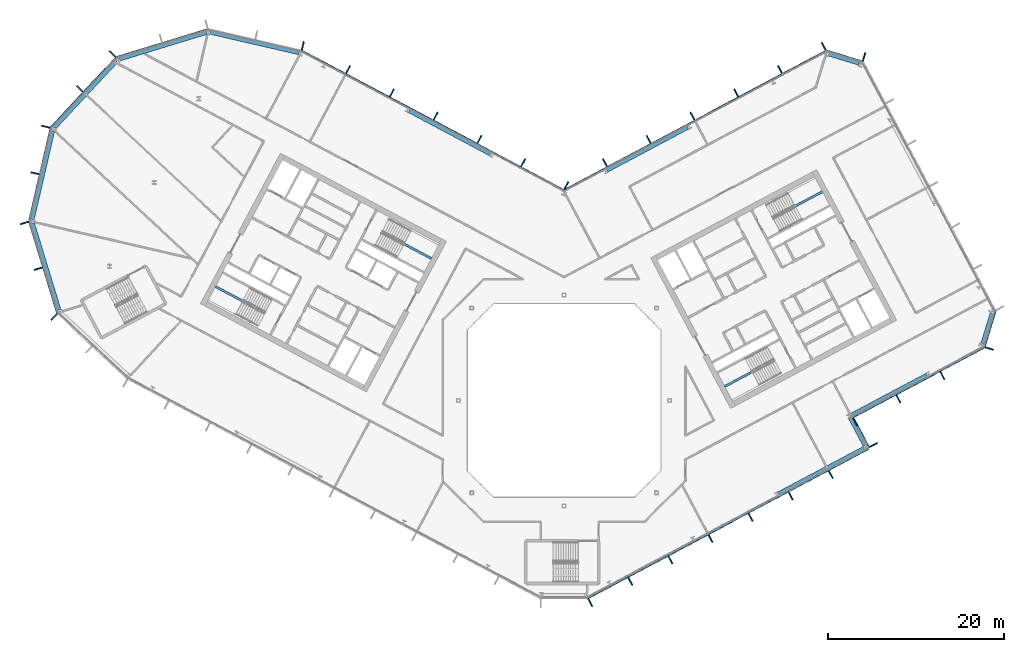
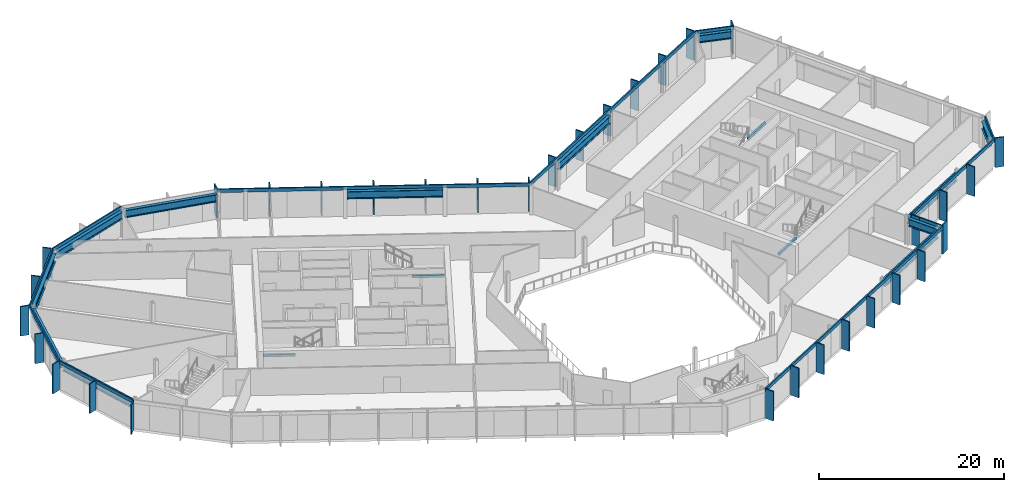
# One storey, part 9 of 26: 44 members, 16 beams, 13 elements without a shape of their own.
"""IFC4 building model written with IfcOpenShell, lengths in metres."""

from ifc_helpers import new_model, si_unit, direction, frame, origin, origin_2d, place, context, subcontext, project, spatial, rectangle, i_section, extrude, material, layer, layer_set, material_profile, profile_set, type_object, element, aggregate, save


model = new_model("IFC4")

# Units and contexts
model_context = context("Model", 3, precision=1e-05, world=origin(), true_north=direction((0.0, 1.0)))
body_context = subcontext(model_context, "Body", "Model", "MODEL_VIEW")
ifc_project = project(units=[si_unit("LENGTHUNIT", "METRE"), si_unit("AREAUNIT", "SQUARE_METRE"), si_unit("VOLUMEUNIT", "CUBIC_METRE"), si_unit("PLANEANGLEUNIT", "RADIAN"), si_unit("MASSUNIT", "GRAM", prefix="KILO")], contexts=[model_context])

# Site, building, storey
site_placement = place(None, origin())
site = spatial("IfcSite", under=ifc_project, at=site_placement, CompositionType="ELEMENT")
building_placement = place(site_placement, origin())
building = spatial("IfcBuilding", under=site, at=building_placement, Name="Cormorant Relay Tower", CompositionType="ELEMENT")
storey_placement = place(building_placement, frame((0.0, 0.0, 197.39990234375)))
storey = spatial("IfcBuildingStorey", under=building, at=storey_placement, Name="L42", CompositionType="ELEMENT", Elevation=197.39990234375)

# Curtain wall, members
ifc_material_1 = material(Name="Aluminium 6063-T6 anodised bronze", Category="aluminium")
ifc_layer = layer(ifc_material_1, 0.199951171875)
ifc_layer_set = layer_set([ifc_layer], Name="CW1 unitised bronze curtain wall with vertical fins")
curtain_wall_type = type_object("IfcCurtainWallType", Name="CW1 unitised bronze curtain wall with vertical fins", PredefinedType="NOTDEFINED", material=ifc_layer_set)
curtain_wall_1_placement = place(storey_placement, origin())
curtain_wall_1 = element("IfcCurtainWall", 1, at=curtain_wall_1_placement, inside=storey, type_object=curtain_wall_type, Name="CW1 curtain wall 2", PredefinedType="NOTDEFINED")
ifc_material_2 = material(Name="Aluminium 6063-T6 anodised bronze", Category="aluminium")
ifc_material_profile_1 = material_profile(ifc_material_2, rectangle(XDim=0.14990234375, YDim=1.0, at=origin_2d()), Name="AL 150x1000")
ifc_profile_set_1 = profile_set([ifc_material_profile_1], Name="Aluminium 6063-T6 anodised bronze")
member_type_1 = type_object("IfcMemberType", Name="CW1 bronze fin mullion 150 x 1000", PredefinedType="MULLION", material=ifc_profile_set_1)
member_1_placement = place(storey_placement, frame((2.9775390625, -22.99365234375, 0.0), z_axis=(0.0, 0.0, 1.0), x_axis=(0.882947592859, 0.469471562786, 0.0)))
member_1 = element("IfcMember", 2, at=member_1_placement, type_object=member_type_1, Name="CW1 fin 2.1", PredefinedType="MULLION", context=body_context, shape_type="SweptSolid", body=[
    extrude(rectangle(XDim=0.14990234375, YDim=1.0, at=origin_2d()), origin(), (0.0, 0.0, 1.0), 3.900146484375),
])
member_2_placement = place(storey_placement, frame((7.539306640625, -20.568115234375, 0.0), z_axis=(0.0, 0.0, 1.0), x_axis=(0.882947592859, 0.469471562786, 0.0)))
member_2 = element("IfcMember", 3, at=member_2_placement, type_object=member_type_1, Name="CW1 fin 2.2", PredefinedType="MULLION", context=body_context, shape_type="SweptSolid", body=[
    extrude(rectangle(XDim=0.14990234375, YDim=1.0, at=origin_2d()), origin(), (0.0, 0.0, 1.0), 3.900146484375),
])
member_3_placement = place(storey_placement, frame((12.10107421875, -18.142578125, 0.0), z_axis=(0.0, 0.0, 1.0), x_axis=(0.882947592859, 0.469471562786, 0.0)))
member_3 = element("IfcMember", 4, at=member_3_placement, type_object=member_type_1, Name="CW1 fin 2.3", PredefinedType="MULLION", context=body_context, shape_type="SweptSolid", body=[
    extrude(rectangle(XDim=0.14990234375, YDim=1.0, at=origin_2d()), origin(), (0.0, 0.0, 1.0), 3.900146484375),
])
member_4_placement = place(storey_placement, frame((16.662841796875, -15.717041015625, 0.0), z_axis=(0.0, 0.0, 1.0), x_axis=(0.882947592859, 0.469471562786, 0.0)))
member_4 = element("IfcMember", 5, at=member_4_placement, type_object=member_type_1, Name="CW1 fin 2.4", PredefinedType="MULLION", context=body_context, shape_type="SweptSolid", body=[
    extrude(rectangle(XDim=0.14990234375, YDim=1.0, at=origin_2d()), origin(), (0.0, 0.0, 1.0), 3.900146484375),
])
member_5_placement = place(storey_placement, frame((21.224609375, -13.29150390625, 0.0), z_axis=(0.0, 0.0, 1.0), x_axis=(0.882947592859, 0.469471562786, 0.0)))
member_5 = element("IfcMember", 6, at=member_5_placement, type_object=member_type_1, Name="CW1 fin 2.5", PredefinedType="MULLION", context=body_context, shape_type="SweptSolid", body=[
    extrude(rectangle(XDim=0.14990234375, YDim=1.0, at=origin_2d()), origin(), (0.0, 0.0, 1.0), 3.900146484375),
])
member_6_placement = place(storey_placement, frame((25.78662109375, -10.865966796875, 0.0), z_axis=(0.0, 0.0, 1.0), x_axis=(0.882947592859, 0.469471562786, 0.0)))
member_6 = element("IfcMember", 7, at=member_6_placement, type_object=member_type_1, Name="CW1 fin 2.6", PredefinedType="MULLION", context=body_context, shape_type="SweptSolid", body=[
    extrude(rectangle(XDim=0.14990234375, YDim=1.0, at=origin_2d()), origin(), (0.0, 0.0, 1.0), 3.900146484375),
])
member_7_placement = place(storey_placement, frame((30.348388671875, -8.440185546875, 0.0), z_axis=(0.0, 0.0, 1.0), x_axis=(0.882947592859, 0.469471562786, 0.0)))
member_7 = element("IfcMember", 8, at=member_7_placement, type_object=member_type_1, Name="CW1 fin 2.7", PredefinedType="MULLION", context=body_context, shape_type="SweptSolid", body=[
    extrude(rectangle(XDim=0.14990234375, YDim=1.0, at=origin_2d()), origin(), (0.0, 0.0, 1.0), 3.900146484375),
])

# Curtain wall, member
curtain_wall_2_placement = place(storey_placement, origin())
curtain_wall_2 = element("IfcCurtainWall", 9, at=curtain_wall_2_placement, inside=storey, type_object=curtain_wall_type, Name="CW1 curtain wall 3", PredefinedType="NOTDEFINED")
member_8_placement = place(storey_placement, frame((35.199462890625, -5.068115234375, 0.0), z_axis=(0.0, 0.0, 1.0), x_axis=(-0.469471562786, 0.882947592859, 0.0)))
member_8 = element("IfcMember", 10, at=member_8_placement, type_object=member_type_1, Name="CW1 fin 3.1", PredefinedType="MULLION", context=body_context, shape_type="SweptSolid", body=[
    extrude(rectangle(XDim=0.14990234375, YDim=1.0, at=origin_2d()), origin(), (0.0, 0.0, 1.0), 3.900146484375),
])

# Curtain wall, members
curtain_wall_3_placement = place(storey_placement, origin())
curtain_wall_3 = element("IfcCurtainWall", 11, at=curtain_wall_3_placement, inside=storey, type_object=curtain_wall_type, Name="CW1 curtain wall 4", PredefinedType="NOTDEFINED")
member_9_placement = place(storey_placement, frame((33.098388671875, -2.44775390625, 0.0), z_axis=(0.0, 0.0, 1.0), x_axis=(0.882947592859, 0.469471562786, 0.0)))
member_9 = element("IfcMember", 12, at=member_9_placement, type_object=member_type_1, Name="CW1 fin 4.1", PredefinedType="MULLION", context=body_context, shape_type="SweptSolid", body=[
    extrude(rectangle(XDim=0.14990234375, YDim=1.0, at=origin_2d()), origin(), (0.0, 0.0, 1.0), 3.900146484375),
])
member_10_placement = place(storey_placement, frame((38.035400390625, 0.177490234375, 0.0), z_axis=(0.0, 0.0, 1.0), x_axis=(0.882947592859, 0.469471562786, 0.0)))
member_10 = element("IfcMember", 13, at=member_10_placement, type_object=member_type_1, Name="CW1 fin 4.2", PredefinedType="MULLION", context=body_context, shape_type="SweptSolid", body=[
    extrude(rectangle(XDim=0.14990234375, YDim=1.0, at=origin_2d()), origin(), (0.0, 0.0, 1.0), 3.900146484375),
])
member_11_placement = place(storey_placement, frame((43.038818359375, 2.837646484375, 0.0), z_axis=(0.0, 0.0, 1.0), x_axis=(0.882947592859, 0.469471562786, 0.0)))
member_11 = element("IfcMember", 14, at=member_11_placement, type_object=member_type_1, Name="CW1 fin 4.3", PredefinedType="MULLION", context=body_context, shape_type="SweptSolid", body=[
    extrude(rectangle(XDim=0.14990234375, YDim=1.0, at=origin_2d()), origin(), (0.0, 0.0, 1.0), 3.900146484375),
])

# Curtain wall, member
curtain_wall_4_placement = place(storey_placement, origin())
curtain_wall_4 = element("IfcCurtainWall", 15, at=curtain_wall_4_placement, inside=storey, type_object=curtain_wall_type, Name="CW1 curtain wall 5", PredefinedType="NOTDEFINED")
member_12_placement = place(storey_placement, frame((48.383056640625, 5.91162109375, 0.0), z_axis=(0.0, 0.0, 1.0), x_axis=(0.292371704723, 0.956304755963, 0.0)))
member_12 = element("IfcMember", 16, at=member_12_placement, type_object=member_type_1, Name="CW1 fin 5.1", PredefinedType="MULLION", context=body_context, shape_type="SweptSolid", body=[
    extrude(rectangle(XDim=0.14990234375, YDim=1.0, at=origin_2d()), origin(), (0.0, 0.0, 1.0), 3.900146484375),
])

curtain_wall_5_placement = place(storey_placement, origin())
curtain_wall_5 = element("IfcCurtainWall", 17, at=curtain_wall_5_placement, inside=storey, type_object=curtain_wall_type, Name="CW1 curtain wall 7", PredefinedType="NOTDEFINED")
member_13_placement = place(storey_placement, frame((34.1357421875, 39.09716796875, 0.0), z_axis=(0.0, 0.0, 1.0), x_axis=(-0.956304755963, 0.292371704723, 0.0)))
member_13 = element("IfcMember", 18, at=member_13_placement, type_object=member_type_1, Name="CW1 fin 7.1", PredefinedType="MULLION", context=body_context, shape_type="SweptSolid", body=[
    extrude(rectangle(XDim=0.14990234375, YDim=1.0, at=origin_2d()), origin(), (0.0, 0.0, 1.0), 3.900146484375),
])

# Curtain wall, members
curtain_wall_6_placement = place(storey_placement, origin())
curtain_wall_6 = element("IfcCurtainWall", 19, at=curtain_wall_6_placement, inside=storey, type_object=curtain_wall_type, Name="CW1 curtain wall 8", PredefinedType="NOTDEFINED")
member_14_placement = place(storey_placement, frame((29.545166015625, 40.2861328125, 0.0), z_axis=(0.0, 0.0, 1.0), x_axis=(-0.882947592859, -0.469471562786, 0.0)))
member_14 = element("IfcMember", 20, at=member_14_placement, type_object=member_type_1, Name="CW1 fin 8.1", PredefinedType="MULLION", context=body_context, shape_type="SweptSolid", body=[
    extrude(rectangle(XDim=0.14990234375, YDim=1.0, at=origin_2d()), origin(), (0.0, 0.0, 1.0), 3.900146484375),
])
member_15_placement = place(storey_placement, frame((24.566162109375, 37.638916015625, 0.0), z_axis=(0.0, 0.0, 1.0), x_axis=(-0.882947592859, -0.469471562786, 0.0)))
member_15 = element("IfcMember", 21, at=member_15_placement, type_object=member_type_1, Name="CW1 fin 8.2", PredefinedType="MULLION", context=body_context, shape_type="SweptSolid", body=[
    extrude(rectangle(XDim=0.14990234375, YDim=1.0, at=origin_2d()), origin(), (0.0, 0.0, 1.0), 3.900146484375),
])
member_16_placement = place(storey_placement, frame((19.587158203125, 34.991455078125, 0.0), z_axis=(0.0, 0.0, 1.0), x_axis=(-0.882947592859, -0.469471562786, 0.0)))
member_16 = element("IfcMember", 22, at=member_16_placement, type_object=member_type_1, Name="CW1 fin 8.3", PredefinedType="MULLION", context=body_context, shape_type="SweptSolid", body=[
    extrude(rectangle(XDim=0.14990234375, YDim=1.0, at=origin_2d()), origin(), (0.0, 0.0, 1.0), 3.900146484375),
])
member_17_placement = place(storey_placement, frame((14.608154296875, 32.343994140625, 0.0), z_axis=(0.0, 0.0, 1.0), x_axis=(-0.882947592859, -0.469471562786, 0.0)))
member_17 = element("IfcMember", 23, at=member_17_placement, type_object=member_type_1, Name="CW1 fin 8.4", PredefinedType="MULLION", context=body_context, shape_type="SweptSolid", body=[
    extrude(rectangle(XDim=0.14990234375, YDim=1.0, at=origin_2d()), origin(), (0.0, 0.0, 1.0), 3.900146484375),
])
member_18_placement = place(storey_placement, frame((9.62939453125, 29.69677734375, 0.0), z_axis=(0.0, 0.0, 1.0), x_axis=(-0.882947592859, -0.469471562786, 0.0)))
member_18 = element("IfcMember", 24, at=member_18_placement, type_object=member_type_1, Name="CW1 fin 8.5", PredefinedType="MULLION", context=body_context, shape_type="SweptSolid", body=[
    extrude(rectangle(XDim=0.14990234375, YDim=1.0, at=origin_2d()), origin(), (0.0, 0.0, 1.0), 3.900146484375),
])
member_19_placement = place(storey_placement, frame((4.650390625, 27.04931640625, 0.0), z_axis=(0.0, 0.0, 1.0), x_axis=(-0.882947592859, -0.469471562786, 0.0)))
member_19 = element("IfcMember", 25, at=member_19_placement, type_object=member_type_1, Name="CW1 fin 8.6", PredefinedType="MULLION", context=body_context, shape_type="SweptSolid", body=[
    extrude(rectangle(XDim=0.14990234375, YDim=1.0, at=origin_2d()), origin(), (0.0, 0.0, 1.0), 3.900146484375),
])

curtain_wall_7_placement = place(storey_placement, origin())
curtain_wall_7 = element("IfcCurtainWall", 26, at=curtain_wall_7_placement, inside=storey, type_object=curtain_wall_type, Name="CW1 curtain wall 9", PredefinedType="NOTDEFINED")
member_20_placement = place(storey_placement, frame((0.262451171875, 24.437255859375, 0.0), z_axis=(0.0, 0.0, 1.0), x_axis=(-0.882947592859, 0.469471562786, 0.0)))
member_20 = element("IfcMember", 27, at=member_20_placement, type_object=member_type_1, Name="CW1 fin 9.1", PredefinedType="MULLION", context=body_context, shape_type="SweptSolid", body=[
    extrude(rectangle(XDim=0.14990234375, YDim=1.0, at=origin_2d()), origin(), (0.0, 0.0, 1.0), 3.900146484375),
])
member_21_placement = place(storey_placement, frame((-4.650390625, 27.04931640625, 0.0), z_axis=(0.0, 0.0, 1.0), x_axis=(-0.882947592859, 0.469471562786, 0.0)))
member_21 = element("IfcMember", 28, at=member_21_placement, type_object=member_type_1, Name="CW1 fin 9.2", PredefinedType="MULLION", context=body_context, shape_type="SweptSolid", body=[
    extrude(rectangle(XDim=0.14990234375, YDim=1.0, at=origin_2d()), origin(), (0.0, 0.0, 1.0), 3.900146484375),
])
member_22_placement = place(storey_placement, frame((-9.62939453125, 29.69677734375, 0.0), z_axis=(0.0, 0.0, 1.0), x_axis=(-0.882947592859, 0.469471562786, 0.0)))
member_22 = element("IfcMember", 29, at=member_22_placement, type_object=member_type_1, Name="CW1 fin 9.3", PredefinedType="MULLION", context=body_context, shape_type="SweptSolid", body=[
    extrude(rectangle(XDim=0.14990234375, YDim=1.0, at=origin_2d()), origin(), (0.0, 0.0, 1.0), 3.900146484375),
])
member_23_placement = place(storey_placement, frame((-14.608154296875, 32.343994140625, 0.0), z_axis=(0.0, 0.0, 1.0), x_axis=(-0.882947592859, 0.469471562786, 0.0)))
member_23 = element("IfcMember", 30, at=member_23_placement, type_object=member_type_1, Name="CW1 fin 9.4", PredefinedType="MULLION", context=body_context, shape_type="SweptSolid", body=[
    extrude(rectangle(XDim=0.14990234375, YDim=1.0, at=origin_2d()), origin(), (0.0, 0.0, 1.0), 3.900146484375),
])
member_24_placement = place(storey_placement, frame((-19.587158203125, 34.991455078125, 0.0), z_axis=(0.0, 0.0, 1.0), x_axis=(-0.882947592859, 0.469471562786, 0.0)))
member_24 = element("IfcMember", 31, at=member_24_placement, type_object=member_type_1, Name="CW1 fin 9.5", PredefinedType="MULLION", context=body_context, shape_type="SweptSolid", body=[
    extrude(rectangle(XDim=0.14990234375, YDim=1.0, at=origin_2d()), origin(), (0.0, 0.0, 1.0), 3.900146484375),
])
member_25_placement = place(storey_placement, frame((-24.566162109375, 37.638916015625, 0.0), z_axis=(0.0, 0.0, 1.0), x_axis=(-0.882947592859, 0.469471562786, 0.0)))
member_25 = element("IfcMember", 32, at=member_25_placement, type_object=member_type_1, Name="CW1 fin 9.6", PredefinedType="MULLION", context=body_context, shape_type="SweptSolid", body=[
    extrude(rectangle(XDim=0.14990234375, YDim=1.0, at=origin_2d()), origin(), (0.0, 0.0, 1.0), 3.900146484375),
])

# Curtain wall, member
curtain_wall_8_placement = place(storey_placement, origin())
curtain_wall_8 = element("IfcCurtainWall", 33, at=curtain_wall_8_placement, inside=storey, type_object=curtain_wall_type, Name="CW1 curtain wall 10", PredefinedType="NOTDEFINED")
member_26_placement = place(storey_placement, frame((-29.71630859375, 40.35009765625, 0.0), z_axis=(0.0, 0.0, 1.0), x_axis=(-0.974370064785, 0.224951054344, 0.0)))
member_26 = element("IfcMember", 34, at=member_26_placement, type_object=member_type_1, Name="CW1 fin 10.1", PredefinedType="MULLION", context=body_context, shape_type="SweptSolid", body=[
    extrude(rectangle(XDim=0.14990234375, YDim=1.0, at=origin_2d()), origin(), (0.0, 0.0, 1.0), 3.900146484375),
])
aggregate(curtain_wall_8, [member_26])

# Curtain wall, members
curtain_wall_9_placement = place(storey_placement, origin())
curtain_wall_9 = element("IfcCurtainWall", 35, at=curtain_wall_9_placement, inside=storey, type_object=curtain_wall_type, Name="CW1 curtain wall 12", PredefinedType="NOTDEFINED")
member_27_placement = place(storey_placement, frame((-51.372802734375, 39.41259765625, 0.0), z_axis=(0.0, 0.0, 1.0), x_axis=(-0.681998360062, -0.731353701619, 0.0)))
member_27 = element("IfcMember", 36, at=member_27_placement, type_object=member_type_1, Name="CW1 fin 12.1", PredefinedType="MULLION", context=body_context, shape_type="SweptSolid", body=[
    extrude(rectangle(XDim=0.14990234375, YDim=1.0, at=origin_2d()), origin(), (0.0, 0.0, 1.0), 3.900146484375),
])
member_28_placement = place(storey_placement, frame((-55.07958984375, 35.4375, 0.0), z_axis=(0.0, 0.0, 1.0), x_axis=(-0.681998360062, -0.731353701619, 0.0)))
member_28 = element("IfcMember", 37, at=member_28_placement, type_object=member_type_1, Name="CW1 fin 12.2", PredefinedType="MULLION", context=body_context, shape_type="SweptSolid", body=[
    extrude(rectangle(XDim=0.14990234375, YDim=1.0, at=origin_2d()), origin(), (0.0, 0.0, 1.0), 3.900146484375),
])

curtain_wall_10_placement = place(storey_placement, origin())
curtain_wall_10 = element("IfcCurtainWall", 38, at=curtain_wall_10_placement, inside=storey, type_object=curtain_wall_type, Name="CW1 curtain wall 13", PredefinedType="NOTDEFINED")
member_29_placement = place(storey_placement, frame((-58.95654296875, 31.142578125, 0.0), z_axis=(0.0, 0.0, 1.0), x_axis=(-0.224951054344, -0.974370064785, 0.0)))
member_29 = element("IfcMember", 39, at=member_29_placement, type_object=member_type_1, Name="CW1 fin 13.1", PredefinedType="MULLION", context=body_context, shape_type="SweptSolid", body=[
    extrude(rectangle(XDim=0.14990234375, YDim=1.0, at=origin_2d()), origin(), (0.0, 0.0, 1.0), 3.900146484375),
])
member_30_placement = place(storey_placement, frame((-60.17919921875, 25.8466796875, 0.0), z_axis=(0.0, 0.0, 1.0), x_axis=(-0.224951054344, -0.974370064785, 0.0)))
member_30 = element("IfcMember", 40, at=member_30_placement, type_object=member_type_1, Name="CW1 fin 13.2", PredefinedType="MULLION", context=body_context, shape_type="SweptSolid", body=[
    extrude(rectangle(XDim=0.14990234375, YDim=1.0, at=origin_2d()), origin(), (0.0, 0.0, 1.0), 3.900146484375),
])

curtain_wall_11_placement = place(storey_placement, origin())
curtain_wall_11 = element("IfcCurtainWall", 41, at=curtain_wall_11_placement, inside=storey, type_object=curtain_wall_type, Name="CW1 curtain wall 14", PredefinedType="NOTDEFINED")
member_31_placement = place(storey_placement, frame((-61.389404296875, 20.188720703125, 0.0), z_axis=(0.0, 0.0, 1.0), x_axis=(0.292371704723, -0.956304755963, 0.0)))
member_31 = element("IfcMember", 42, at=member_31_placement, type_object=member_type_1, Name="CW1 fin 14.1", PredefinedType="MULLION", context=body_context, shape_type="SweptSolid", body=[
    extrude(rectangle(XDim=0.14990234375, YDim=1.0, at=origin_2d()), origin(), (0.0, 0.0, 1.0), 3.900146484375),
])
member_32_placement = place(storey_placement, frame((-59.80029296875, 14.990966796875, 0.0), z_axis=(0.0, 0.0, 1.0), x_axis=(0.292371704723, -0.956304755963, 0.0)))
member_32 = element("IfcMember", 43, at=member_32_placement, type_object=member_type_1, Name="CW1 fin 14.2", PredefinedType="MULLION", context=body_context, shape_type="SweptSolid", body=[
    extrude(rectangle(XDim=0.14990234375, YDim=1.0, at=origin_2d()), origin(), (0.0, 0.0, 1.0), 3.900146484375),
])

# Curtain wall, member
curtain_wall_12_placement = place(storey_placement, origin())
curtain_wall_12 = element("IfcCurtainWall", 44, at=curtain_wall_12_placement, inside=storey, type_object=curtain_wall_type, Name="CW1 curtain wall 15", PredefinedType="NOTDEFINED")
member_33_placement = place(storey_placement, frame((-58.01904296875, 9.486083984375, 0.0), z_axis=(0.0, 0.0, 1.0), x_axis=(0.731353701619, -0.681998360062, 0.0)))
member_33 = element("IfcMember", 45, at=member_33_placement, type_object=member_type_1, Name="CW1 fin 15.1", PredefinedType="MULLION", context=body_context, shape_type="SweptSolid", body=[
    extrude(rectangle(XDim=0.14990234375, YDim=1.0, at=origin_2d()), origin(), (0.0, 0.0, 1.0), 3.900146484375),
])
aggregate(curtain_wall_12, [member_33])

# Member
ifc_material_3 = material(Name="Aluminium 6063-T6 anodised bronze", Category="aluminium")
ifc_material_profile_2 = material_profile(ifc_material_3, rectangle(XDim=0.159912109375, YDim=0.449951171875, at=origin_2d()), Name="AL 160x450")
ifc_profile_set_2 = profile_set([ifc_material_profile_2], Name="Aluminium 6063-T6 anodised bronze")
member_type_2 = type_object("IfcMemberType", Name="CW1 bronze transom 160 x 450", PredefinedType="USERDEFINED", material=ifc_profile_set_2)
member_34_placement = place(storey_placement, frame((2.705078125, -22.4814453125, 3.675048828125), z_axis=(0.882948899141, 0.469469106018, 0.0), x_axis=(-0.469469106018, 0.882948899141, 0.0)))
member_34 = element("IfcMember", 46, at=member_34_placement, type_object=member_type_2, Name="CW1 transom 2", ObjectType="TRANSOM", PredefinedType="USERDEFINED", context=body_context, shape_type="SweptSolid", body=[
    extrude(rectangle(XDim=0.159912109375, YDim=0.449951171875, at=origin_2d()), origin(), (0.0, 0.0, 1.0), 36.165771484375),
])

aggregate(curtain_wall_1, [member_1, member_2, member_3, member_4, member_5, member_6, member_7, member_34])

member_35_placement = place(storey_placement, frame((34.6875, -5.34033203125, 3.675048828125), z_axis=(-0.469485426614, 0.882940221191, 0.0), x_axis=(-0.882940221191, -0.469485426614, 0.0)))
member_35 = element("IfcMember", 47, at=member_35_placement, type_object=member_type_2, Name="CW1 transom 3", ObjectType="TRANSOM", PredefinedType="USERDEFINED", context=body_context, shape_type="SweptSolid", body=[
    extrude(rectangle(XDim=0.159912109375, YDim=0.449951171875, at=origin_2d()), origin(), (0.0, 0.0, 1.0), 4.0),
])

aggregate(curtain_wall_2, [member_8, member_35])

member_36_placement = place(storey_placement, frame((32.760009765625, -1.970947265625, 3.675048828125), z_axis=(0.882941803911, 0.469482450052, 0.0), x_axis=(-0.469482450052, 0.882941803911, 0.0)))
member_36 = element("IfcMember", 48, at=member_36_placement, type_object=member_type_2, Name="CW1 transom 4", ObjectType="TRANSOM", PredefinedType="USERDEFINED", context=body_context, shape_type="SweptSolid", body=[
    extrude(rectangle(XDim=0.159912109375, YDim=0.449951171875, at=origin_2d()), origin(), (0.0, 0.0, 1.0), 17.0),
])

aggregate(curtain_wall_3, [member_9, member_10, member_11, member_36])

member_37_placement = place(storey_placement, frame((47.828369140625, 6.0810546875, 3.675048828125), z_axis=(0.292391046905, 0.95629884225, 0.0), x_axis=(-0.95629884225, 0.292391046905, 0.0)))
member_37 = element("IfcMember", 49, at=member_37_placement, type_object=member_type_2, Name="CW1 transom 5", ObjectType="TRANSOM", PredefinedType="USERDEFINED", context=body_context, shape_type="SweptSolid", body=[
    extrude(rectangle(XDim=0.159912109375, YDim=0.449951171875, at=origin_2d()), origin(), (0.0, 0.0, 1.0), 4.242431640625),
])

aggregate(curtain_wall_4, [member_12, member_37])

member_38_placement = place(storey_placement, frame((33.966064453125, 38.54248046875, 3.675048828125), z_axis=(-0.956303761594, 0.292374957137, 0.0), x_axis=(-0.292374957137, -0.956303761594, 0.0)))
member_38 = element("IfcMember", 50, at=member_38_placement, type_object=member_type_2, Name="CW1 transom 7", ObjectType="TRANSOM", PredefinedType="USERDEFINED", context=body_context, shape_type="SweptSolid", body=[
    extrude(rectangle(XDim=0.159912109375, YDim=0.449951171875, at=origin_2d()), origin(), (0.0, 0.0, 1.0), 4.24267578125),
])

aggregate(curtain_wall_5, [member_13, member_38])

member_39_placement = place(storey_placement, frame((29.8173828125, 39.774169921875, 3.675048828125), z_axis=(-0.882946280328, -0.46947403129, 0.0), x_axis=(0.46947403129, -0.882946280328, 0.0)))
member_39 = element("IfcMember", 51, at=member_39_placement, type_object=member_type_2, Name="CW1 transom 8", ObjectType="TRANSOM", PredefinedType="USERDEFINED", context=body_context, shape_type="SweptSolid", body=[
    extrude(rectangle(XDim=0.159912109375, YDim=0.449951171875, at=origin_2d()), origin(), (0.0, 0.0, 1.0), 33.834228515625),
])

aggregate(curtain_wall_6, [member_14, member_15, member_16, member_17, member_18, member_19, member_39])

member_40_placement = place(storey_placement, frame((0.056396484375, 23.889892578125, 3.675048828125), z_axis=(-0.882946280328, 0.46947403129, 0.0), x_axis=(-0.46947403129, -0.882946280328, 0.0)))
member_40 = element("IfcMember", 52, at=member_40_placement, type_object=member_type_2, Name="CW1 transom 9", ObjectType="TRANSOM", PredefinedType="USERDEFINED", context=body_context, shape_type="SweptSolid", body=[
    extrude(rectangle(XDim=0.159912109375, YDim=0.449951171875, at=origin_2d()), origin(), (0.0, 0.0, 1.0), 33.834228515625),
])

aggregate(curtain_wall_7, [member_20, member_21, member_22, member_23, member_24, member_25, member_40])

# Curtain wall, member
curtain_wall_13_placement = place(storey_placement, origin())
curtain_wall_13 = element("IfcCurtainWall", 53, at=curtain_wall_13_placement, inside=storey, type_object=curtain_wall_type, Name="CW1 curtain wall 11", PredefinedType="NOTDEFINED")
member_41_placement = place(storey_placement, frame((-40.50048828125, 42.228271484375, 3.675048828125), z_axis=(-0.956304833932, -0.292371449698, 0.0), x_axis=(0.292371449698, -0.956304833932, 0.0)))
member_41 = element("IfcMember", 54, at=member_41_placement, type_object=member_type_2, Name="CW1 transom 11", ObjectType="TRANSOM", PredefinedType="USERDEFINED", context=body_context, shape_type="SweptSolid", body=[
    extrude(rectangle(XDim=0.159912109375, YDim=0.449951171875, at=origin_2d()), origin(), (0.0, 0.0, 1.0), 10.87060546875),
])
aggregate(curtain_wall_13, [member_41])

# Member
member_42_placement = place(storey_placement, frame((-50.94873046875, 39.01708984375, 3.675048828125), z_axis=(-0.681993299437, -0.731358420696, 0.0), x_axis=(0.731358420696, -0.681993299437, 0.0)))
member_42 = element("IfcMember", 55, at=member_42_placement, type_object=member_type_2, Name="CW1 transom 12", ObjectType="TRANSOM", PredefinedType="USERDEFINED", context=body_context, shape_type="SweptSolid", body=[
    extrude(rectangle(XDim=0.159912109375, YDim=0.449951171875, at=origin_2d()), origin(), (0.0, 0.0, 1.0), 10.870361328125),
])

aggregate(curtain_wall_9, [member_27, member_28, member_42])

member_43_placement = place(storey_placement, frame((-58.3916015625, 31.01220703125, 3.675048828125), z_axis=(-0.22495136131, -0.974369993916, 0.0), x_axis=(0.974369993916, -0.22495136131, 0.0)))
member_43 = element("IfcMember", 56, at=member_43_placement, type_object=member_type_2, Name="CW1 transom 13", ObjectType="TRANSOM", PredefinedType="USERDEFINED", context=body_context, shape_type="SweptSolid", body=[
    extrude(rectangle(XDim=0.159912109375, YDim=0.449951171875, at=origin_2d()), origin(), (0.0, 0.0, 1.0), 10.870361328125),
])

aggregate(curtain_wall_10, [member_29, member_30, member_43])

member_44_placement = place(storey_placement, frame((-60.834716796875, 20.358154296875, 3.675048828125), z_axis=(0.292377729282, -0.95630291405, 0.0), x_axis=(0.95630291405, 0.292377729282, 0.0)))
member_44 = element("IfcMember", 57, at=member_44_placement, type_object=member_type_2, Name="CW1 transom 14", ObjectType="TRANSOM", PredefinedType="USERDEFINED", context=body_context, shape_type="SweptSolid", body=[
    extrude(rectangle(XDim=0.159912109375, YDim=0.449951171875, at=origin_2d()), origin(), (0.0, 0.0, 1.0), 10.870361328125),
])

aggregate(curtain_wall_11, [member_31, member_32, member_44])

# Beams
ifc_material_4 = material(Name="Steel ASTM A992 (Fy 345 MPa)", Category="steel")
ifc_material_profile_3 = material_profile(ifc_material_4, i_section(OverallWidth=0.4013671875, OverallDepth=0.990478515625, WebThickness=0.0166015625, FlangeThickness=0.031005859375, FilletRadius=0.030029296875, at=origin_2d()), Name="W1000x320")
ifc_profile_set_3 = profile_set([ifc_material_profile_3], Name="Steel ASTM A992 (Fy 345 MPa)")
beam_type_1 = type_object("IfcBeamType", Name="Spandrel W1000x320", PredefinedType="SPANDREL", material=ifc_profile_set_3)
beam_1_placement = place(storey_placement, frame((24.423583984375, -10.5703125, 3.044677734375), z_axis=(0.882952735253, 0.469461891221, 0.0), x_axis=(-0.469461891221, 0.882952735253, 0.0)))
element("IfcBeam", 58, at=beam_1_placement, inside=storey, type_object=beam_type_1, Name="Spandrel beam L42-002", PredefinedType="SPANDREL", context=body_context, shape_type="SweptSolid", body=[
    extrude(i_section(OverallWidth=0.4013671875, OverallDepth=0.990478515625, WebThickness=0.0166015625, FlangeThickness=0.031005859375, FilletRadius=0.030029296875, at=origin_2d()), origin(), (0.0, 0.0, 1.0), 10.96142578125),
])
beam_2_placement = place(storey_placement, frame((34.20458984375, -5.115478515625, 3.044677734375), z_axis=(-0.469423552529, 0.882973118691, 0.0), x_axis=(-0.882973118691, -0.469423552529, 0.0)))
element("IfcBeam", 59, at=beam_2_placement, inside=storey, type_object=beam_type_1, Name="Spandrel beam L42-003", PredefinedType="SPANDREL", context=body_context, shape_type="SweptSolid", body=[
    extrude(i_section(OverallWidth=0.4013671875, OverallDepth=0.990478515625, WebThickness=0.0166015625, FlangeThickness=0.031005859375, FilletRadius=0.030029296875, at=origin_2d()), origin(), (0.0, 0.0, 1.0), 3.56982421875),
])
beam_3_placement = place(storey_placement, frame((32.609375, -1.687744140625, 3.044677734375), z_axis=(0.882948215634, 0.469470391515, 0.0), x_axis=(-0.469470391515, 0.882948215634, 0.0)))
element("IfcBeam", 60, at=beam_3_placement, inside=storey, type_object=beam_type_1, Name="Spandrel beam L42-004", PredefinedType="SPANDREL", context=body_context, shape_type="SweptSolid", body=[
    extrude(i_section(OverallWidth=0.4013671875, OverallDepth=0.990478515625, WebThickness=0.0166015625, FlangeThickness=0.031005859375, FilletRadius=0.030029296875, at=origin_2d()), origin(), (0.0, 0.0, 1.0), 9.79736328125),
])
for number, where, z_axis, x_axis, name in (
    (61, (47.618896484375, 6.4921875, 3.044677734375), (0.292349563537, 0.956311524923, 0.0), (-0.956311524923, 0.292349563537, 0.0), "Spandrel beam L42-005"),
    (62, (33.5546875, 38.3330078125, 3.044677734375), (-0.956311524923, 0.292349563537, 0.0), (-0.292349563537, -0.956311524923, 0.0), "Spandrel beam L42-007"),
):
    element("IfcBeam", number, at=place(storey_placement, frame(where, z_axis=z_axis, x_axis=x_axis)), inside=storey, type_object=beam_type_1, Name=name, PredefinedType="SPANDREL", context=body_context, shape_type="SweptSolid", body=[
        extrude(i_section(OverallWidth=0.4013671875, OverallDepth=0.990478515625, WebThickness=0.0166015625, FlangeThickness=0.031005859375, FilletRadius=0.030029296875, at=origin_2d()), origin(), (0.0, 0.0, 1.0), 3.59765625),
    ])
for number, where, z_axis, x_axis, name in (
    (63, (14.0732421875, 31.03955078125, 3.044677734375), (-0.882949648898, -0.469467695918, 0.0), (0.469467695918, -0.882949648898, 0.0), "Spandrel beam L42-008"),
    (64, (-8.426025390625, 28.036865234375, 3.044677734375), (-0.882949648898, 0.469467695918, 0.0), (-0.469467695918, -0.882949648898, 0.0), "Spandrel beam L42-009"),
):
    element("IfcBeam", number, at=place(storey_placement, frame(where, z_axis=z_axis, x_axis=x_axis)), inside=storey, type_object=beam_type_1, Name=name, PredefinedType="SPANDREL", context=body_context, shape_type="SweptSolid", body=[
        extrude(i_section(OverallWidth=0.4013671875, OverallDepth=0.990478515625, WebThickness=0.0166015625, FlangeThickness=0.031005859375, FilletRadius=0.030029296875, at=origin_2d()), origin(), (0.0, 0.0, 1.0), 10.39599609375),
    ])
beam_4_placement = place(storey_placement, frame((-30.1533203125, 39.526611328125, 3.044677734375), z_axis=(-0.97436619016, 0.22496783653, 0.0), x_axis=(-0.22496783653, -0.97436619016, 0.0)))
element("IfcBeam", 65, at=beam_4_placement, inside=storey, type_object=beam_type_1, Name="Spandrel beam L42-010", PredefinedType="SPANDREL", context=body_context, shape_type="SweptSolid", body=[
    extrude(i_section(OverallWidth=0.4013671875, OverallDepth=0.990478515625, WebThickness=0.0166015625, FlangeThickness=0.031005859375, FilletRadius=0.030029296875, at=origin_2d()), origin(), (0.0, 0.0, 1.0), 10.369384765625),
])
beam_5_placement = place(storey_placement, frame((-40.680419921875, 41.837890625, 3.044677734375), z_axis=(-0.956303094801, -0.292377138084, 0.0), x_axis=(0.292377138084, -0.956303094801, 0.0)))
element("IfcBeam", 66, at=beam_5_placement, inside=storey, type_object=beam_type_1, Name="Spandrel beam L42-011", PredefinedType="SPANDREL", context=body_context, shape_type="SweptSolid", body=[
    extrude(i_section(OverallWidth=0.4013671875, OverallDepth=0.990478515625, WebThickness=0.0166015625, FlangeThickness=0.031005859375, FilletRadius=0.030029296875, at=origin_2d()), origin(), (0.0, 0.0, 1.0), 10.32421875),
])
beam_6_placement = place(storey_placement, frame((-50.90966796875, 38.5888671875, 3.044677734375), z_axis=(-0.681996285296, -0.731355636365, 0.0), x_axis=(0.731355636365, -0.681996285296, 0.0)))
element("IfcBeam", 67, at=beam_6_placement, inside=storey, type_object=beam_type_1, Name="Spandrel beam L42-012", PredefinedType="SPANDREL", context=body_context, shape_type="SweptSolid", body=[
    extrude(i_section(OverallWidth=0.4013671875, OverallDepth=0.990478515625, WebThickness=0.0166015625, FlangeThickness=0.031005859375, FilletRadius=0.030029296875, at=origin_2d()), origin(), (0.0, 0.0, 1.0), 10.32275390625),
])
beam_7_placement = place(storey_placement, frame((-58.143310546875, 30.66162109375, 3.044677734375), z_axis=(-0.224957947919, -0.974368473252, 0.0), x_axis=(0.974368473252, -0.224957947919, 0.0)))
element("IfcBeam", 68, at=beam_7_placement, inside=storey, type_object=beam_type_1, Name="Spandrel beam L42-013", PredefinedType="SPANDREL", context=body_context, shape_type="SweptSolid", body=[
    extrude(i_section(OverallWidth=0.4013671875, OverallDepth=0.990478515625, WebThickness=0.0166015625, FlangeThickness=0.031005859375, FilletRadius=0.030029296875, at=origin_2d()), origin(), (0.0, 0.0, 1.0), 10.32421875),
])
beam_8_placement = place(storey_placement, frame((-60.4443359375, 20.178466796875, 3.044677734375), z_axis=(0.29236873538, -0.956305663777, 0.0), x_axis=(0.956305663777, 0.29236873538, 0.0)))
element("IfcBeam", 69, at=beam_8_placement, inside=storey, type_object=beam_type_1, Name="Spandrel beam L42-014", PredefinedType="SPANDREL", context=body_context, shape_type="SweptSolid", body=[
    extrude(i_section(OverallWidth=0.4013671875, OverallDepth=0.990478515625, WebThickness=0.0166015625, FlangeThickness=0.031005859375, FilletRadius=0.030029296875, at=origin_2d()), origin(), (0.0, 0.0, 1.0), 10.32373046875),
])
ifc_material_5 = material(Name="Concrete 50 MPa", Category="concrete")
ifc_material_profile_4 = material_profile(ifc_material_5, rectangle(XDim=0.25, YDim=0.300048828125, at=origin_2d()), Name="RC 250x300")
ifc_profile_set_4 = profile_set([ifc_material_profile_4], Name="Concrete 50 MPa")
beam_type_2 = type_object("IfcBeamType", Name="Stair landing ledge beam 250x300", PredefinedType="BEAM", material=ifc_profile_set_4)
beam_9_placement = place(storey_placement, frame((-18.219482421875, 17.813720703125, 1.60009765625), z_axis=(0.882950035608, -0.469466968614, 0.0), x_axis=(0.469466968614, 0.882950035608, 0.0)))
element("IfcBeam", 70, at=beam_9_placement, inside=storey, type_object=beam_type_2, Name="A1 landing ledge beam", PredefinedType="BEAM", context=body_context, shape_type="SweptSolid", body=[
    extrude(rectangle(XDim=0.25, YDim=0.300048828125, at=origin_2d()), origin(), (0.0, 0.0, 1.0), 3.5498046875),
])
for number, where, z_axis, x_axis, name in (
    (71, (-36.523193359375, 11.29345703125, 1.60009765625), (-0.88293668587, 0.469492075273, 0.0), (-0.469492075273, -0.88293668587, 0.0), "A2 landing ledge beam"),
    (72, (21.4248046875, 3.265380859375, 1.60009765625), (-0.88296519247, -0.469438461235, 0.0), (0.469438461235, -0.88296519247, 0.0), "B1 landing ledge beam"),
    (73, (26.25439453125, 22.0859375, 1.60009765625), (0.88296519247, 0.469438461235, 0.0), (-0.469438461235, 0.88296519247, 0.0), "B2 landing ledge beam"),
):
    element("IfcBeam", number, at=place(storey_placement, frame(where, z_axis=z_axis, x_axis=x_axis)), inside=storey, type_object=beam_type_2, Name=name, PredefinedType="BEAM", context=body_context, shape_type="SweptSolid", body=[
        extrude(rectangle(XDim=0.25, YDim=0.300048828125, at=origin_2d()), origin(), (0.0, 0.0, 1.0), 3.550048828125),
    ])

save(model, "model.ifc")
